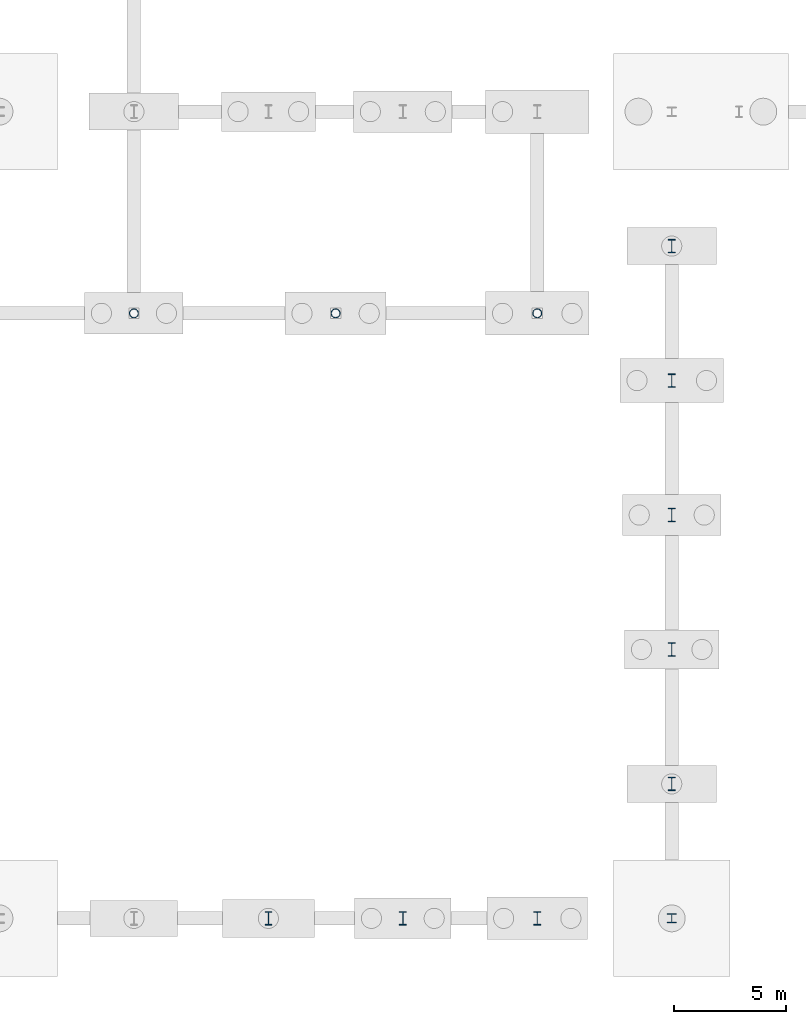
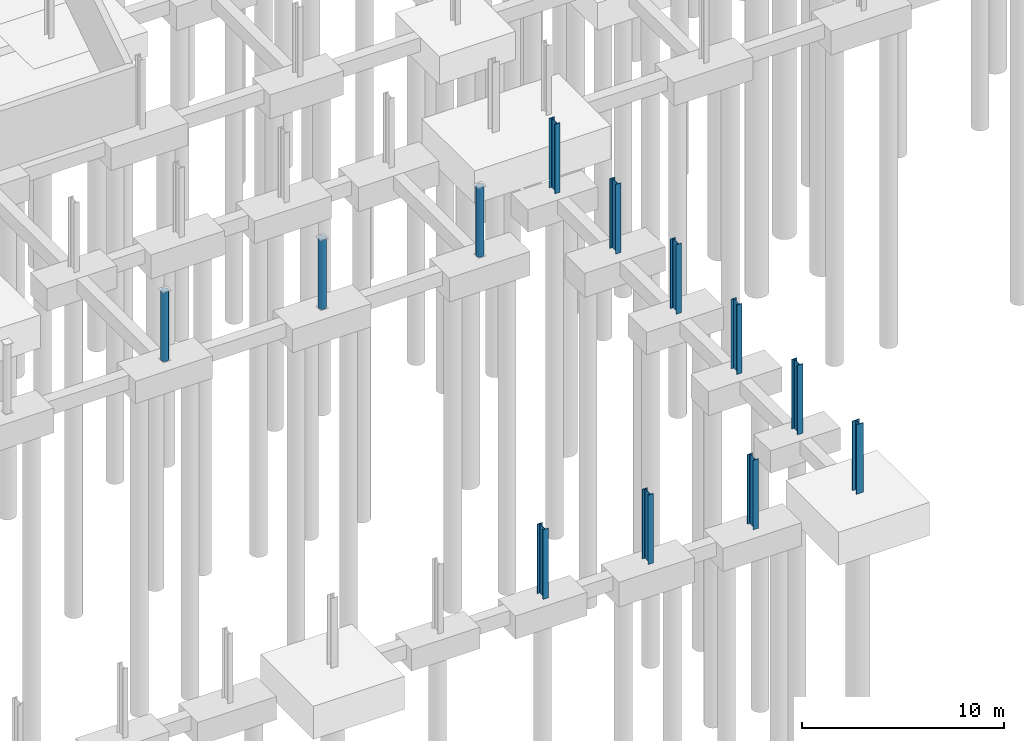
# One storey, part 11 of 42: 12 columns.
"""IFC4 building model written with IfcOpenShell, lengths in metres."""

from ifc_helpers import new_model, si_unit, direction, frame, origin, origin_2d, place, context, subcontext, project, spatial, hollow_circle, i_section, extrude, material, material_profile, profile_set, type_object, element, save


model = new_model("IFC4")

# Units and contexts
model_context = context("Model", 3, precision=1e-05, world=origin(), true_north=direction((0.0, 1.0)))
body_context = subcontext(model_context, "Body", "Model", "MODEL_VIEW")
ifc_project = project(units=[si_unit("LENGTHUNIT", "METRE"), si_unit("AREAUNIT", "SQUARE_METRE"), si_unit("VOLUMEUNIT", "CUBIC_METRE"), si_unit("PLANEANGLEUNIT", "RADIAN"), si_unit("MASSUNIT", "GRAM", prefix="KILO")], contexts=[model_context])

# Site, building, storey
site_placement = place(None, origin())
site = spatial("IfcSite", under=ifc_project, at=site_placement, CompositionType="ELEMENT")
building_placement = place(site_placement, origin())
building = spatial("IfcBuilding", under=site, at=building_placement, Name="Deido Ridge Mobility Hub", CompositionType="ELEMENT")
storey_placement = place(building_placement, frame((0.0, 0.0, -4.199951171875)))
storey = spatial("IfcBuildingStorey", under=building, at=storey_placement, Name="B1", CompositionType="ELEMENT", Elevation=-4.199951171875)

# Columns
ifc_material_1 = material(Name="Steel S355J2H EN 10210-1", Category="steel")
ifc_material_profile_1 = material_profile(ifc_material_1, hollow_circle(Radius=0.203125, WallThickness=0.01611328125, at=origin_2d()), Name="CHS 406.4x16")
ifc_profile_set_1 = profile_set([ifc_material_profile_1], Name="Steel S355J2H EN 10210-1")
column_type_1 = type_object("IfcColumnType", Name="COL-CHS406", PredefinedType="COLUMN", material=ifc_profile_set_1)
for number, where, z_axis, x_axis, name in (
    (1, (36.0, 27.0, 0.0), (0.0, 0.0, 1.0), (1.0, 0.0, 0.0), "Structural column C10"),
    (2, (45.0, 27.0, 0.0), (0.0, 0.0, 1.0), (1.0, 0.0, 0.0), "Structural column C10"),
    (3, (54.0, 27.0, 0.0), (0.0, 0.0, 1.0), (1.0, 0.0, 0.0), "Structural column C10"),
):
    element("IfcColumn", number, at=place(storey_placement, frame(where, z_axis=z_axis, x_axis=x_axis)), inside=storey, type_object=column_type_1, Name=name, PredefinedType="COLUMN", context=body_context, shape_type="SweptSolid", body=[
        extrude(hollow_circle(Radius=0.203125, WallThickness=0.01611328125, at=origin_2d()), origin(), (0.0, 0.0, 1.0), 4.199951171875),
    ])
ifc_material_2 = material(Name="Steel S355J2 EN 10025-2", Category="steel")
ifc_material_profile_2 = material_profile(ifc_material_2, i_section(OverallWidth=0.406005859375, OverallDepth=0.416015625, WebThickness=0.02392578125, FlangeThickness=0.0390625, FilletRadius=0.014892578125, at=origin_2d()), Name="HD 400x382")
ifc_profile_set_2 = profile_set([ifc_material_profile_2], Name="Steel S355J2 EN 10025-2")
column_type_2 = type_object("IfcColumnType", Name="COL-HD400-382", PredefinedType="COLUMN", material=ifc_profile_set_2)
column_placement = place(storey_placement, frame((60.0, 0.0, 0.0), z_axis=(0.0, 0.0, 1.0), x_axis=(1.0, 0.0, 0.0)))
element("IfcColumn", 4, at=column_placement, inside=storey, type_object=column_type_2, Name="Structural column MC2", PredefinedType="COLUMN", context=body_context, shape_type="SweptSolid", body=[
    extrude(i_section(OverallWidth=0.406005859375, OverallDepth=0.416015625, WebThickness=0.02392578125, FlangeThickness=0.0390625, FilletRadius=0.014892578125, at=origin_2d()), origin(), (0.0, 0.0, 1.0), 4.199951171875),
])
ifc_material_profile_3 = material_profile(ifc_material_2, i_section(OverallWidth=0.300048828125, OverallDepth=0.60009765625, WebThickness=0.015380859375, FlangeThickness=0.030029296875, FilletRadius=0.027099609375, at=origin_2d()), Name="HEB 600")
ifc_profile_set_3 = profile_set([ifc_material_profile_3], Name="Steel S355J2 EN 10025-2")
column_type_3 = type_object("IfcColumnType", Name="COL-HEB600", PredefinedType="COLUMN", material=ifc_profile_set_3)
for number, where, z_axis, x_axis, name in (
    (5, (42.0, 0.0, 0.0), (0.0, 0.0, 1.0), (1.0, 0.0, 0.0), "Structural column C4"),
    (6, (48.0, 0.0, 0.0), (0.0, 0.0, 1.0), (1.0, 0.0, 0.0), "Structural column C4"),
    (7, (54.0, 0.0, 0.0), (0.0, 0.0, 1.0), (1.0, 0.0, 0.0), "Structural column C4"),
    (8, (60.0, 6.0, 0.0), (0.0, 0.0, 1.0), (1.0, 0.0, 0.0), "Structural column C4"),
    (9, (60.0, 12.0, 0.0), (0.0, 0.0, 1.0), (1.0, 0.0, 0.0), "Structural column C4"),
    (10, (60.0, 18.0, 0.0), (0.0, 0.0, 1.0), (1.0, 0.0, 0.0), "Structural column C4"),
    (11, (60.0, 24.0, 0.0), (0.0, 0.0, 1.0), (1.0, 0.0, 0.0), "Structural column C4"),
    (12, (60.0, 30.0, 0.0), (0.0, 0.0, 1.0), (1.0, 0.0, 0.0), "Structural column C4"),
):
    element("IfcColumn", number, at=place(storey_placement, frame(where, z_axis=z_axis, x_axis=x_axis)), inside=storey, type_object=column_type_3, Name=name, PredefinedType="COLUMN", context=body_context, shape_type="SweptSolid", body=[
        extrude(i_section(OverallWidth=0.300048828125, OverallDepth=0.60009765625, WebThickness=0.015380859375, FlangeThickness=0.030029296875, FilletRadius=0.027099609375, at=origin_2d()), origin(), (0.0, 0.0, 1.0), 4.199951171875),
    ])

save(model, "model.ifc")
